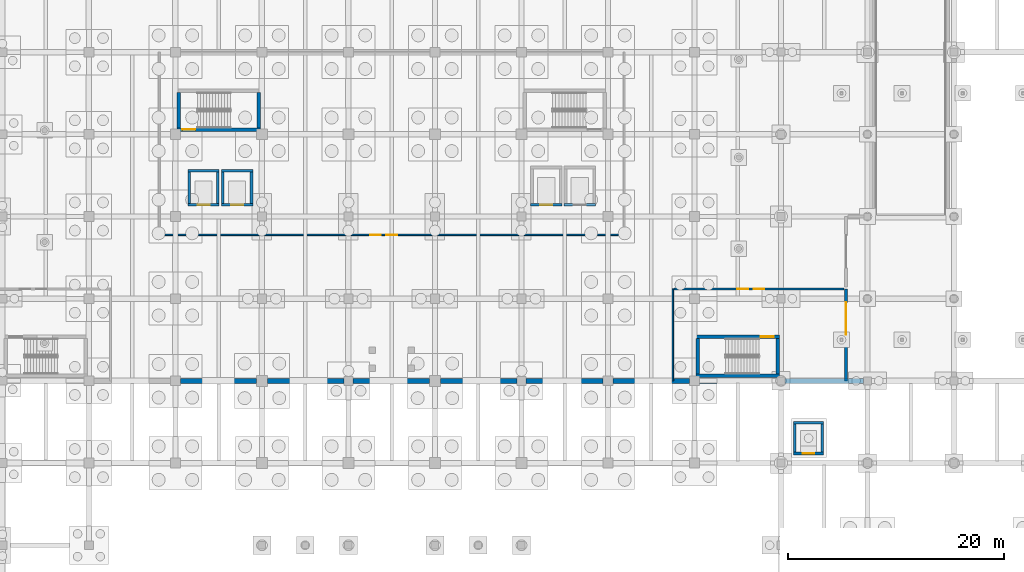
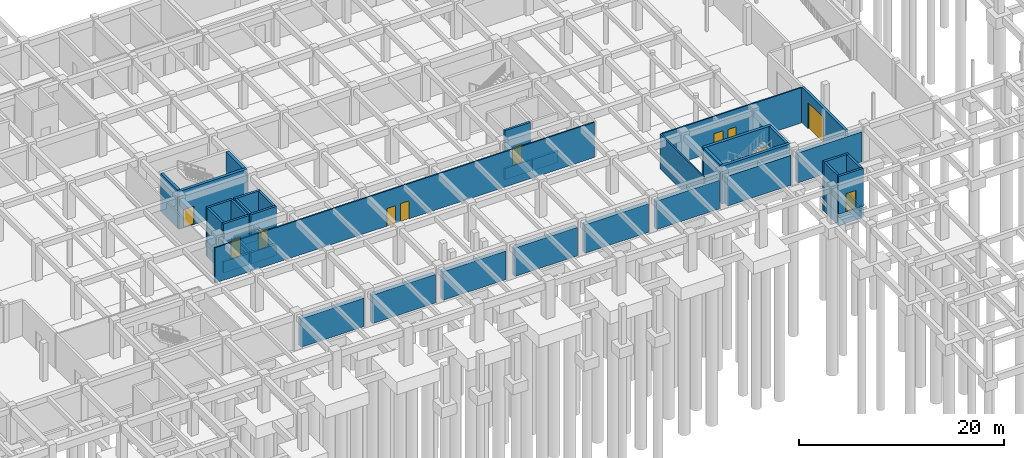
# One storey, part 35 of 49: 46 walls, 11 doors, 11 openings.
"""IFC4 building model written with IfcOpenShell, lengths in metres."""

import ifcopenshell
import ifcopenshell.guid

model = None  # the IFC model being written
_history = None  # IfcOwnerHistory: only IFC2X3 demands one
_inside = {}  # id of a spatial element -> (the spatial element, [elements in it])
_under = {}  # id of a project, library or spatial element -> (it, [spatial elements below it])
_declared = {}  # id of a project -> (the project, [libraries it declares])
_typed = {}  # id of a type object -> (the type object, [elements of that type])
_made_of = {}  # id of a material, layer set ... -> (it, [elements and type objects made of it])


def new_model(schema):
    """Start an empty IFC model of exactly this schema.

    Asked for "IFC4X3", IfcOpenShell would pick the latest addendum, in which some entities
    have other attributes; the version numbers below select the first issue.
    IFC2X3 requires an IfcOwnerHistory on every rooted entity: one is made here for all.
    """
    global model, _history
    if schema == "IFC4X3":
        model = ifcopenshell.file(schema_version=(4, 3, 0, 0))
    else:
        model = ifcopenshell.file(schema=schema)
    _inside.clear()
    _under.clear()
    _declared.clear()
    _typed.clear()
    _made_of.clear()
    _history = None
    if model.schema == "IFC2X3":
        org = make("IfcOrganization", Name="unknown")
        user = make(
            "IfcPersonAndOrganization",
            ThePerson=make("IfcPerson", FamilyName="unknown"),
            TheOrganization=org,
        )
        app = make(
            "IfcApplication",
            ApplicationDeveloper=org,
            Version="unknown",
            ApplicationFullName="unknown",
            ApplicationIdentifier="unknown",
        )
        _history = make(
            "IfcOwnerHistory",
            OwningUser=user,
            OwningApplication=app,
            ChangeAction="ADDED",
            CreationDate=0,
        )
    return model


def make(cls, **values):
    """One entity of the class cls with the attributes given. An attribute that is None is left unset."""
    return model.create_entity(
        cls, **{name: value for name, value in values.items() if value is not None}
    )


def rooted(cls, **values):
    """An entity with a GlobalId (a new one), such as an element, a storey or a relation."""
    return make(cls, GlobalId=ifcopenshell.guid.new(), OwnerHistory=_history, **values)


def si_unit(unit_type, name, prefix=None):
    """IfcSIUnit, for example si_unit("LENGTHUNIT", "METRE", prefix="MILLI")."""
    return make("IfcSIUnit", UnitType=unit_type, Prefix=prefix, Name=name)


def assignment(units):
    """IfcUnitAssignment: the units of a project."""
    return None if units is None else make("IfcUnitAssignment", Units=units)


def point(xyz):
    """IfcCartesianPoint."""
    return None if xyz is None else make("IfcCartesianPoint", Coordinates=xyz)


def direction(xyz):
    """IfcDirection."""
    return None if xyz is None else make("IfcDirection", DirectionRatios=xyz)


def frame(location, z_axis=None, x_axis=None):
    """IfcAxis2Placement3D, a coordinate frame: its origin and axes. An axis left out is left unset."""
    return make(
        "IfcAxis2Placement3D",
        Location=point(location),
        Axis=direction(z_axis),
        RefDirection=direction(x_axis),
    )


def frame_2d(location, x_axis=None):
    """IfcAxis2Placement2D, a coordinate frame in the plane: its origin and x axis."""
    return make(
        "IfcAxis2Placement2D", Location=point(location), RefDirection=direction(x_axis)
    )


def origin():
    """The frame at (0, 0, 0) with its axes left unset."""
    return frame((0.0, 0.0, 0.0))


def place(relative_to, where):
    """IfcLocalPlacement: puts the frame where relative to a parent placement (None: the world)."""
    return make(
        "IfcLocalPlacement", PlacementRelTo=relative_to, RelativePlacement=where
    )


def context(
    kind, dimensions, precision=None, world=None, true_north=None, identifier=None
):
    """IfcGeometricRepresentationContext, for example the 3D "Model" context."""
    return make(
        "IfcGeometricRepresentationContext",
        ContextIdentifier=identifier,
        ContextType=kind,
        CoordinateSpaceDimension=dimensions,
        Precision=precision,
        WorldCoordinateSystem=world,
        TrueNorth=true_north,
    )


def subcontext(parent, identifier, kind, view, scale=None):
    """IfcGeometricRepresentationSubContext, for example "Body" below "Model"."""
    return make(
        "IfcGeometricRepresentationSubContext",
        ContextIdentifier=identifier,
        ContextType=kind,
        ParentContext=parent,
        TargetScale=scale,
        TargetView=view,
    )


def project(units=None, contexts=None):
    """IfcProject with its units and contexts."""
    return rooted(
        "IfcProject",
        Name="project",
        RepresentationContexts=contexts,
        UnitsInContext=assignment(units),
    )


def spatial(cls, under=None, at=None, **own):
    """A site, building, storey or space (cls), placed at a placement, below another one or the project."""
    s = rooted(cls, ObjectPlacement=at, **own)
    if under is not None:
        _under.setdefault(under.id(), (under, []))[1].append(s)
    return s


def profile(cls, at=None, kind="AREA", **sizes):
    """A parametric profile (cls). Its sizes go by their IFC names, for example OverallWidth=200.0."""
    return make(cls, ProfileType=kind, Position=at, **sizes)


def rectangle(**sizes):
    """IfcRectangleProfileDef."""
    return profile("IfcRectangleProfileDef", **sizes)


def extrude(swept, where, along, depth):
    """IfcExtrudedAreaSolid: the profile swept, set in the frame where, extruded along a direction by depth."""
    return make(
        "IfcExtrudedAreaSolid",
        SweptArea=swept,
        Position=where,
        ExtrudedDirection=direction(along),
        Depth=depth,
    )


def shape(context_of_items, identifier, shape_type, items):
    """IfcShapeRepresentation: the items that make up one representation, for example the "Body"."""
    return make(
        "IfcShapeRepresentation",
        ContextOfItems=context_of_items,
        RepresentationIdentifier=identifier,
        RepresentationType=shape_type,
        Items=items,
    )


def material(Name=None, Category=None):
    """IfcMaterial."""
    return make("IfcMaterial", Name=Name, Category=Category)


def layer(
    of_material, thickness, ventilated=None, Name=None, Category=None, Priority=None
):
    """IfcMaterialLayer: one layer of a wall or slab, of a material (None: an air gap)."""
    return make(
        "IfcMaterialLayer",
        Material=of_material,
        LayerThickness=thickness,
        IsVentilated=ventilated,
        Name=Name,
        Category=Category,
        Priority=Priority,
    )


def layer_set(layers, Name=None):
    """IfcMaterialLayerSet."""
    return make("IfcMaterialLayerSet", MaterialLayers=layers, LayerSetName=Name)


def made_of(thing, what):
    """Note that an element or type object is made of a material, layer set ...; save() writes the relation."""
    if what is not None:
        _made_of.setdefault(what.id(), (what, []))[1].append(thing)
    return thing


def type_object(cls, material=None, **own):
    """A type object (cls), such as IfcWallType, which elements share."""
    return made_of(rooted(cls, **own), material)


def element(
    cls,
    number,
    at=None,
    inside=None,
    cuts=None,
    type_object=None,
    material=None,
    context=None,
    identifier="Body",
    shape_type=None,
    held_by="IfcProductDefinitionShape",
    body=None,
    shapes=None,
    **own,
):
    """One element of the class cls, such as IfcWall. Its Tag is "e" and its number.

    at: its placement. inside: the storey or other place that contains it. cuts: it is an
    opening in that element (IfcRelVoidsElement). A single representation is given by context,
    identifier, shape_type and body (its items); several are given by shapes. held_by: the class
    of the entity that holds the representations. save() writes the other relations.
    """
    e = rooted(cls, Tag="e%d" % number, ObjectPlacement=at, **own)
    if body is not None:
        shapes = [shape(context, identifier, shape_type, body)]
    if shapes is not None:
        e.Representation = make(held_by, Representations=shapes)
    if inside is not None:
        _inside.setdefault(inside.id(), (inside, []))[1].append(e)
    if cuts is not None:
        rooted(
            "IfcRelVoidsElement", RelatingBuildingElement=cuts, RelatedOpeningElement=e
        )
    if type_object is not None:
        _typed.setdefault(type_object.id(), (type_object, []))[1].append(e)
    return made_of(e, material)


def fill(opening, filler):
    """IfcRelFillsElement: the door or window that sits in an opening."""
    return rooted(
        "IfcRelFillsElement",
        RelatingOpeningElement=opening,
        RelatedBuildingElement=filler,
    )


def aggregate(whole, parts):
    """IfcRelAggregates: a whole, such as a stair, and the parts it consists of."""
    return rooted("IfcRelAggregates", RelatingObject=whole, RelatedObjects=parts)


def save(model, path):
    """Write the relations noted so far, then the file.

    IfcRelAggregates (storeys below a building ...), IfcRelContainedInSpatialStructure (elements
    in a storey), IfcRelDefinesByType, IfcRelAssociatesMaterial and IfcRelDeclares: one each for
    every whole, place, type object, material and project.
    """
    for whole, parts in _under.values():
        aggregate(whole, parts)
    for where, things in _inside.values():
        rooted(
            "IfcRelContainedInSpatialStructure",
            RelatedElements=things,
            RelatingStructure=where,
        )
    for kind, things in _typed.values():
        rooted("IfcRelDefinesByType", RelatedObjects=things, RelatingType=kind)
    for what, things in _made_of.values():
        rooted("IfcRelAssociatesMaterial", RelatedObjects=things, RelatingMaterial=what)
    for by, libraries in _declared.values():
        rooted("IfcRelDeclares", RelatingContext=by, RelatedDefinitions=libraries)
    model.write(path)


model = new_model("IFC4")

# Units and contexts
model_context = context("Model", 3, precision=1e-05, world=origin(), true_north=direction((0.0, 1.0)))
body_context = subcontext(model_context, "Body", "Model", "MODEL_VIEW")
ifc_project = project(units=[si_unit("LENGTHUNIT", "METRE"), si_unit("AREAUNIT", "SQUARE_METRE"), si_unit("VOLUMEUNIT", "CUBIC_METRE"), si_unit("PLANEANGLEUNIT", "RADIAN"), si_unit("MASSUNIT", "GRAM", prefix="KILO")], contexts=[model_context])

# Site, building, storey
site_placement = place(None, origin())
site = spatial("IfcSite", under=ifc_project, at=site_placement, CompositionType="ELEMENT")
building_placement = place(site_placement, origin())
building = spatial("IfcBuilding", under=site, at=building_placement, Name="Zantavel Square City Hall", CompositionType="ELEMENT")
storey_placement = place(building_placement, frame((0.0, 0.0, -4.5)))
storey = spatial("IfcBuildingStorey", under=building, at=storey_placement, Name="B1", CompositionType="ELEMENT", Elevation=-4.5)

# Wall, opening, door
ifc_material_1 = material(Name="Concrete C35/45", Category="concrete")
ifc_layer_1 = layer(ifc_material_1, 0.280029296875, Name="Concrete C35/45")
ifc_layer_set_1 = layer_set([ifc_layer_1], Name="Concrete C35/45")
wall_type_1 = type_object("IfcWallType", Name="Archive & Substation Vault Wall 280mm", PredefinedType="STANDARD", material=ifc_layer_set_1)
wall_1_placement = place(storey_placement, frame((126.0, 38.0, 0.0), z_axis=(0.0, 0.0, 1.0), x_axis=(0.0, 1.0, 0.0)))
wall_1 = element("IfcWall", 1, at=wall_1_placement, inside=storey, type_object=wall_type_1, Name="B1 Interior Wall IW-B1-0023", PredefinedType="STANDARD", context=body_context, shape_type="SweptSolid", body=[
    extrude(rectangle(XDim=8.5, YDim=0.280029296875, at=frame_2d((4.25, 0.0))), origin(), (0.0, 0.0, 1.0), 4.199951171875),
])
opening_1_placement = place(wall_1_placement, frame((4.25, 0.0, 0.0)))
opening_1 = element("IfcOpeningElement", 2, at=opening_1_placement, cuts=wall_1, Name="Opening D-0011", PredefinedType="OPENING", context=body_context, shape_type="SweptSolid", body=[
    extrude(rectangle(XDim=3.0, YDim=3.10009765625, at=frame_2d((1.5, 1.550048828125))), frame((0.0, 0.14990234375, 0.0), z_axis=(0.0, -1.0, 0.0), x_axis=(1.0, 0.0, 0.0)), (0.0, 0.0, 1.0), 0.300048828125),
])
ifc_material_2 = material(Name="Steel ASTM A500 Grade B", Category="steel")
door_type_1 = type_object("IfcDoorType", Name="Plant Equipment Roller Gate 3000x3100", OperationType="NOTDEFINED", PredefinedType="GATE", material=ifc_material_2)
door_1_placement = place(opening_1_placement, origin())
door_1 = element("IfcDoor", 3, at=door_1_placement, inside=storey, type_object=door_type_1, Name="B1 Municipal Maintenance Workshop and Store Door", OperationType="ROLLINGUP", OverallHeight=3.10009765625, OverallWidth=3.0, PredefinedType="GATE", context=body_context, shape_type="SweptSolid", body=[
    extrude(rectangle(XDim=3.0, YDim=3.10009765625, at=frame_2d((1.5, 1.550048828125))), frame((0.0, 0.02490234375, 0.0), z_axis=(0.0, -1.0, 0.0), x_axis=(1.0, 0.0, 0.0)), (0.0, 0.0, 1.0), 0.050048828125),
])
fill(opening_1, door_1)

# Walls
ifc_material_3 = material(Name="Concrete C40/50", Category="concrete")
ifc_layer_2 = layer(ifc_material_3, 0.47998046875, Name="Concrete C40/50")
ifc_layer_set_2 = layer_set([ifc_layer_2], Name="Concrete C40/50")
wall_type_2 = type_object("IfcWallType", Name="Basement Retaining Wall RC 480mm C40/50", PredefinedType="SHEAR", material=ifc_layer_set_2)
wall_2_placement = place(storey_placement, frame((127.625, 38.0, 0.0), z_axis=(0.0, 0.0, 1.0), x_axis=(-1.0, 0.0, 0.0)))
element("IfcWall", 4, at=wall_2_placement, inside=storey, type_object=wall_type_2, Name="B1 Exterior Wall EW-B1-024", PredefinedType="SHEAR", context=body_context, shape_type="SweptSolid", body=[
    extrude(rectangle(XDim=7.25, YDim=0.47998046875, at=frame_2d((3.625, 0.0))), origin(), (0.0, 0.0, 1.0), 3.550048828125),
])
wall_3_placement = place(storey_placement, frame((119.625, 38.0, 0.0), z_axis=(0.0, 0.0, 1.0), x_axis=(-1.0, 0.0, 0.0)))
element("IfcWall", 5, at=wall_3_placement, inside=storey, type_object=wall_type_2, Name="B1 Exterior Wall EW-B1-025", PredefinedType="SHEAR", context=body_context, shape_type="SweptSolid", body=[
    extrude(rectangle(XDim=7.175048828125, YDim=0.47998046875, at=frame_2d((3.58740234375, 0.0))), origin(), (0.0, 0.0, 1.0), 3.550048828125),
])
wall_4_placement = place(storey_placement, frame((111.550048828125, 38.0, 0.0), z_axis=(0.0, 0.0, 1.0), x_axis=(-1.0, 0.0, 0.0)))
element("IfcWall", 6, at=wall_4_placement, inside=storey, type_object=wall_type_2, Name="B1 Exterior Wall EW-B1-026", PredefinedType="SHEAR", context=body_context, shape_type="SweptSolid", body=[
    extrude(rectangle(XDim=7.10009765625, YDim=0.47998046875, at=frame_2d((3.550048828125, 0.0))), origin(), (0.0, 0.0, 1.0), 3.39990234375),
])
wall_5_placement = place(storey_placement, frame((103.550048828125, 38.0, 0.0), z_axis=(0.0, 0.0, 1.0), x_axis=(-1.0, 0.0, 0.0)))
element("IfcWall", 7, at=wall_5_placement, inside=storey, type_object=wall_type_2, Name="B1 Exterior Wall EW-B1-027", PredefinedType="SHEAR", context=body_context, shape_type="SweptSolid", body=[
    extrude(rectangle(XDim=7.125, YDim=0.47998046875, at=frame_2d((3.5625, 0.0))), origin(), (0.0, 0.0, 1.0), 3.39990234375),
])
for number, where, z_axis, x_axis, name in (
    (8, (95.574951171875, 38.0, 0.0), (0.0, 0.0, 1.0), (-1.0, 0.0, 0.0), "B1 Exterior Wall EW-B1-028"),
    (9, (87.5, 38.0, 0.0), (0.0, 0.0, 1.0), (-1.0, 0.0, 0.0), "B1 Exterior Wall EW-B1-029"),
    (10, (79.574951171875, 38.0, 0.0), (0.0, 0.0, 1.0), (-1.0, 0.0, 0.0), "B1 Exterior Wall EW-B1-030"),
):
    element("IfcWall", number, at=place(storey_placement, frame(where, z_axis=z_axis, x_axis=x_axis)), inside=storey, type_object=wall_type_2, Name=name, PredefinedType="SHEAR", context=body_context, shape_type="SweptSolid", body=[
        extrude(rectangle(XDim=7.074951171875, YDim=0.47998046875, at=frame_2d((3.53759765625, 0.0))), origin(), (0.0, 0.0, 1.0), 3.39990234375),
    ])
wall_6_placement = place(storey_placement, frame((71.5, 38.0, 0.0), z_axis=(0.0, 0.0, 1.0), x_axis=(-1.0, 0.0, 0.0)))
element("IfcWall", 11, at=wall_6_placement, inside=storey, type_object=wall_type_2, Name="B1 Exterior Wall EW-B1-031", PredefinedType="SHEAR", context=body_context, shape_type="SweptSolid", body=[
    extrude(rectangle(XDim=7.050048828125, YDim=0.47998046875, at=frame_2d((3.52490234375, 0.0))), origin(), (0.0, 0.0, 1.0), 3.39990234375),
])
ifc_layer_3 = layer(ifc_material_3, 0.320068359375, Name="Concrete C40/50")
ifc_layer_set_3 = layer_set([ifc_layer_3], Name="Concrete C40/50")
wall_type_3 = type_object("IfcWallType", Name="Core Shear Wall RC 320mm C40/50", PredefinedType="SHEAR", material=ifc_layer_set_3)
wall_7_placement = place(storey_placement, frame((119.85009765625, 38.489990234375, 0.0), z_axis=(0.0, 0.0, 1.0), x_axis=(-1.0, 0.0, 0.0)))
element("IfcWall", 12, at=wall_7_placement, inside=storey, type_object=wall_type_3, Name="B1 Exit Stair 4 East Annex Core Shear Wall South", PredefinedType="SHEAR", context=body_context, shape_type="SweptSolid", body=[
    extrude(rectangle(XDim=7.7001953125, YDim=0.320068359375, at=frame_2d((3.85009765625, 0.0))), origin(), (0.0, 0.0, 1.0), 4.5),
])
wall_8_placement = place(storey_placement, frame((112.31005859375, 38.64990234375, 0.0), z_axis=(0.0, 0.0, 1.0), x_axis=(0.0, 1.0, 0.0)))
element("IfcWall", 13, at=wall_8_placement, inside=storey, type_object=wall_type_3, Name="B1 Exit Stair 4 East Annex Core Shear Wall West", PredefinedType="SHEAR", context=body_context, shape_type="SweptSolid", body=[
    extrude(rectangle(XDim=3.27001953125, YDim=0.320068359375, at=frame_2d((1.635009765625, 0.0))), origin(), (0.0, 0.0, 1.0), 4.5),
])

# Wall, opening, door
wall_9_placement = place(storey_placement, frame((112.14990234375, 42.080078125, 0.0), z_axis=(0.0, 0.0, 1.0), x_axis=(1.0, 0.0, 0.0)))
wall_9 = element("IfcWall", 14, at=wall_9_placement, inside=storey, type_object=wall_type_3, Name="B1 Exit Stair 4 East Annex Core Shear Wall North", PredefinedType="SHEAR", context=body_context, shape_type="SweptSolid", body=[
    extrude(rectangle(XDim=7.7001953125, YDim=0.320068359375, at=frame_2d((3.85009765625, 0.0))), origin(), (0.0, 0.0, 1.0), 4.5),
])
opening_2_placement = place(wall_9_placement, frame((6.0, 0.0, 0.0)))
opening_2 = element("IfcOpeningElement", 15, at=opening_2_placement, cuts=wall_9, Name="Opening SD-016", PredefinedType="OPENING", context=body_context, shape_type="SweptSolid", body=[
    extrude(rectangle(XDim=1.199951171875, YDim=2.199951171875, at=frame_2d((0.60009765625, 1.10009765625))), frame((0.0, 0.169921875, 0.0), z_axis=(0.0, -1.0, 0.0), x_axis=(1.0, 0.0, 0.0)), (0.0, 0.0, 1.0), 0.340087890625),
])
door_type_2 = type_object("IfcDoorType", Name="Enclosed Exit Stairwell Fire Door 1200x2200 FD90S", OperationType="NOTDEFINED", PredefinedType="DOOR", material=ifc_material_2)
door_2_placement = place(opening_2_placement, origin())
door_2 = element("IfcDoor", 16, at=door_2_placement, inside=storey, type_object=door_type_2, Name="B1 Exit Stair 4 East Annex Core Fire Door", OperationType="SINGLE_SWING_RIGHT", OverallHeight=2.199951171875, OverallWidth=1.199951171875, PredefinedType="DOOR", context=body_context, shape_type="SweptSolid", body=[
    extrude(rectangle(XDim=1.199951171875, YDim=2.199951171875, at=frame_2d((0.60009765625, 1.10009765625))), frame((0.0, 0.02490234375, 0.0), z_axis=(0.0, -1.0, 0.0), x_axis=(1.0, 0.0, 0.0)), (0.0, 0.0, 1.0), 0.050048828125),
])
fill(opening_2, door_2)

# Wall
wall_10_placement = place(storey_placement, frame((119.68994140625, 41.919921875, 0.0), z_axis=(0.0, 0.0, 1.0), x_axis=(0.0, -1.0, 0.0)))
element("IfcWall", 17, at=wall_10_placement, inside=storey, type_object=wall_type_3, Name="B1 Exit Stair 4 East Annex Core Shear Wall East", PredefinedType="SHEAR", context=body_context, shape_type="SweptSolid", body=[
    extrude(rectangle(XDim=3.27001953125, YDim=0.320068359375, at=frame_2d((1.635009765625, 0.0))), origin(), (0.0, 0.0, 1.0), 4.5),
])

# Wall, opening, door
wall_11_placement = place(storey_placement, frame((71.85009765625, 61.239990234375, 0.0), z_axis=(0.0, 0.0, 1.0), x_axis=(-1.0, 0.0, 0.0)))
wall_11 = element("IfcWall", 18, at=wall_11_placement, inside=storey, type_object=wall_type_3, Name="B1 Exit Stair 5 Central West Core Shear Wall South", PredefinedType="SHEAR", context=body_context, shape_type="SweptSolid", body=[
    extrude(rectangle(XDim=7.7001953125, YDim=0.320068359375, at=frame_2d((3.85009765625, 0.0))), origin(), (0.0, 0.0, 1.0), 4.5),
])
opening_3_placement = place(wall_11_placement, frame((6.0, 0.0, 0.0)))
opening_3 = element("IfcOpeningElement", 19, at=opening_3_placement, cuts=wall_11, Name="Opening SD-019", PredefinedType="OPENING", context=body_context, shape_type="SweptSolid", body=[
    extrude(rectangle(XDim=1.199951171875, YDim=2.199951171875, at=frame_2d((0.60009765625, 1.10009765625))), frame((0.0, 0.169921875, 0.0), z_axis=(0.0, -1.0, 0.0), x_axis=(1.0, 0.0, 0.0)), (0.0, 0.0, 1.0), 0.340087890625),
])
door_3_placement = place(opening_3_placement, origin())
door_3 = element("IfcDoor", 20, at=door_3_placement, inside=storey, type_object=door_type_2, Name="B1 Exit Stair 5 Central West Core Fire Door", OperationType="SINGLE_SWING_LEFT", OverallHeight=2.199951171875, OverallWidth=1.199951171875, PredefinedType="DOOR", context=body_context, shape_type="SweptSolid", body=[
    extrude(rectangle(XDim=1.199951171875, YDim=2.199951171875, at=frame_2d((0.60009765625, 1.10009765625))), frame((0.0, 0.02490234375, 0.0), z_axis=(0.0, -1.0, 0.0), x_axis=(1.0, 0.0, 0.0)), (0.0, 0.0, 1.0), 0.050048828125),
])
fill(opening_3, door_3)

# Walls
for number, where, z_axis, x_axis, name in (
    (21, (64.31005859375, 61.39990234375, 0.0), (0.0, 0.0, 1.0), (0.0, 1.0, 0.0), "B1 Exit Stair 5 Central West Core Shear Wall West"),
    (22, (71.68994140625, 64.669921875, 0.0), (0.0, 0.0, 1.0), (0.0, -1.0, 0.0), "B1 Exit Stair 5 Central West Core Shear Wall East"),
):
    element("IfcWall", number, at=place(storey_placement, frame(where, z_axis=z_axis, x_axis=x_axis)), inside=storey, type_object=wall_type_3, Name=name, PredefinedType="SHEAR", context=body_context, shape_type="SweptSolid", body=[
        extrude(rectangle(XDim=3.27001953125, YDim=0.320068359375, at=frame_2d((1.635009765625, 0.0))), origin(), (0.0, 0.0, 1.0), 4.5),
    ])
ifc_material_4 = material(Name="Gypsum acoustic stud assembly", Category="masonry")
ifc_layer_4 = layer(ifc_material_4, 0.14990234375, Name="Gypsum acoustic stud assembly")
ifc_layer_set_4 = layer_set([ifc_layer_4], Name="Gypsum acoustic stud assembly")
wall_type_4 = type_object("IfcWallType", Name="Department Office Partition 150mm", PredefinedType="PARTITIONING", material=ifc_layer_set_4)
wall_12_placement = place(storey_placement, frame((110.0, 38.0, 0.0), z_axis=(0.0, 0.0, 1.0), x_axis=(0.0, 1.0, 0.0)))
element("IfcWall", 23, at=wall_12_placement, inside=storey, type_object=wall_type_4, Name="B1 Interior Wall IW-B1-0028", PredefinedType="PARTITIONING", context=body_context, shape_type="SweptSolid", body=[
    extrude(rectangle(XDim=8.5, YDim=0.14990234375, at=frame_2d((4.25, 0.0))), origin(), (0.0, 0.0, 1.0), 4.199951171875),
])

# Wall, openings, doors
wall_13_placement = place(storey_placement, frame((110.125, 46.5, 0.0), z_axis=(0.0, 0.0, 1.0), x_axis=(1.0, 0.0, 0.0)))
wall_13 = element("IfcWall", 24, at=wall_13_placement, inside=storey, type_object=wall_type_4, Name="B1 Interior Wall IW-B1-0029", PredefinedType="PARTITIONING", context=body_context, shape_type="SweptSolid", body=[
    extrude(rectangle(XDim=15.68505859375, YDim=0.14990234375, at=frame_2d((7.842529296875, 0.0))), origin(), (0.0, 0.0, 1.0), 4.199951171875),
])
opening_4_placement = place(wall_13_placement, frame((7.367431640625, 0.0, 0.0)))
opening_4 = element("IfcOpeningElement", 25, at=opening_4_placement, cuts=wall_13, Name="Opening D-0014", PredefinedType="OPENING", context=body_context, shape_type="SweptSolid", body=[
    extrude(rectangle(XDim=0.949951171875, YDim=2.10009765625, at=frame_2d((0.47509765625, 1.050048828125))), frame((0.0, 0.0849609375, 0.0), z_axis=(0.0, -1.0, 0.0), x_axis=(1.0, 0.0, 0.0)), (0.0, 0.0, 1.0), 0.169921875),
])
opening_5_placement = place(wall_13_placement, frame((5.842529296875, 0.0, 0.0)))
opening_5 = element("IfcOpeningElement", 26, at=opening_5_placement, cuts=wall_13, Name="Opening D-0019", PredefinedType="OPENING", context=body_context, shape_type="SweptSolid", body=[
    extrude(rectangle(XDim=1.0, YDim=2.14990234375, at=frame_2d((0.5, 1.074951171875))), frame((0.0, 0.0849609375, 0.0), z_axis=(0.0, -1.0, 0.0), x_axis=(1.0, 0.0, 0.0)), (0.0, 0.0, 1.0), 0.169921875),
])
ifc_material_5 = material(Name="Solid oak hardwood", Category="wood")
door_type_3 = type_object("IfcDoorType", Name="Office Internal Oak Single Door 950x2100", OperationType="NOTDEFINED", PredefinedType="DOOR", material=ifc_material_5)
door_4_placement = place(opening_4_placement, origin())
door_4 = element("IfcDoor", 27, at=door_4_placement, inside=storey, type_object=door_type_3, Name="B1 Subterranean Municipal Car Park Door", OperationType="SINGLE_SWING_RIGHT", OverallHeight=2.10009765625, OverallWidth=0.949951171875, PredefinedType="DOOR", context=body_context, shape_type="SweptSolid", body=[
    extrude(rectangle(XDim=0.949951171875, YDim=2.10009765625, at=frame_2d((0.47509765625, 1.050048828125))), frame((0.0, 0.02490234375, 0.0), z_axis=(0.0, -1.0, 0.0), x_axis=(1.0, 0.0, 0.0)), (0.0, 0.0, 1.0), 0.050048828125),
])
fill(opening_4, door_4)
door_type_4 = type_object("IfcDoorType", Name="Suite Internal Oak Single Door 1000x2150", OperationType="NOTDEFINED", PredefinedType="DOOR", material=ifc_material_5)
door_5_placement = place(opening_5_placement, origin())
door_5 = element("IfcDoor", 28, at=door_5_placement, inside=storey, type_object=door_type_4, Name="B1 Subterranean Municipal Car Park Door", OperationType="SINGLE_SWING_LEFT", OverallHeight=2.14990234375, OverallWidth=1.0, PredefinedType="DOOR", context=body_context, shape_type="SweptSolid", body=[
    extrude(rectangle(XDim=1.0, YDim=2.14990234375, at=frame_2d((0.5, 1.074951171875))), frame((0.0, 0.02490234375, 0.0), z_axis=(0.0, -1.0, 0.0), x_axis=(1.0, 0.0, 0.0)), (0.0, 0.0, 1.0), 0.050048828125),
])
fill(opening_5, door_5)

wall_14_placement = place(storey_placement, frame((105.375, 51.5, 0.0), z_axis=(0.0, 0.0, 1.0), x_axis=(-1.0, 0.0, 0.0)))
wall_14 = element("IfcWall", 29, at=wall_14_placement, inside=storey, type_object=wall_type_4, Name="B1 Interior Wall IW-B1-0037", PredefinedType="PARTITIONING", context=body_context, shape_type="SweptSolid", body=[
    extrude(rectangle(XDim=42.75, YDim=0.14990234375, at=frame_2d((21.375, 0.0))), origin(), (0.0, 0.0, 1.0), 4.199951171875),
])
opening_6_placement = place(wall_14_placement, frame((20.875, 0.0, 0.0)))
opening_6 = element("IfcOpeningElement", 30, at=opening_6_placement, cuts=wall_14, Name="Opening D-0015", PredefinedType="OPENING", context=body_context, shape_type="SweptSolid", body=[
    extrude(rectangle(XDim=1.0, YDim=2.14990234375, at=frame_2d((0.5, 1.074951171875))), frame((0.0, 0.0849609375, 0.0), z_axis=(0.0, -1.0, 0.0), x_axis=(1.0, 0.0, 0.0)), (0.0, 0.0, 1.0), 0.169921875),
])
opening_7_placement = place(wall_14_placement, frame((22.39990234375, 0.0, 0.0)))
opening_7 = element("IfcOpeningElement", 31, at=opening_7_placement, cuts=wall_14, Name="Opening D-0020", PredefinedType="OPENING", context=body_context, shape_type="SweptSolid", body=[
    extrude(rectangle(XDim=0.949951171875, YDim=2.10009765625, at=frame_2d((0.47509765625, 1.050048828125))), frame((0.0, 0.0849609375, 0.0), z_axis=(0.0, -1.0, 0.0), x_axis=(1.0, 0.0, 0.0)), (0.0, 0.0, 1.0), 0.169921875),
])
door_6_placement = place(opening_7_placement, origin())
door_6 = element("IfcDoor", 32, at=door_6_placement, inside=storey, type_object=door_type_3, Name="B1 Subterranean Municipal Car Park Door", OperationType="SINGLE_SWING_RIGHT", OverallHeight=2.10009765625, OverallWidth=0.949951171875, PredefinedType="DOOR", context=body_context, shape_type="SweptSolid", body=[
    extrude(rectangle(XDim=0.949951171875, YDim=2.10009765625, at=frame_2d((0.47509765625, 1.050048828125))), frame((0.0, 0.02490234375, 0.0), z_axis=(0.0, -1.0, 0.0), x_axis=(1.0, 0.0, 0.0)), (0.0, 0.0, 1.0), 0.050048828125),
])
fill(opening_7, door_6)
door_7_placement = place(opening_6_placement, origin())
door_7 = element("IfcDoor", 33, at=door_7_placement, inside=storey, type_object=door_type_4, Name="B1 Subterranean Municipal Car Park Door", OperationType="SINGLE_SWING_LEFT", OverallHeight=2.14990234375, OverallWidth=1.0, PredefinedType="DOOR", context=body_context, shape_type="SweptSolid", body=[
    extrude(rectangle(XDim=1.0, YDim=2.14990234375, at=frame_2d((0.5, 1.074951171875))), frame((0.0, 0.02490234375, 0.0), z_axis=(0.0, -1.0, 0.0), x_axis=(1.0, 0.0, 0.0)), (0.0, 0.0, 1.0), 0.050048828125),
])
fill(opening_6, door_7)

# Walls
ifc_layer_5 = layer(ifc_material_3, 0.25, Name="Concrete C40/50")
ifc_layer_set_5 = layer_set([ifc_layer_5], Name="Concrete C40/50")
wall_type_5 = type_object("IfcWallType", Name="Lift Shaft Wall RC 250mm C40/50", PredefinedType="SHEAR", material=ifc_layer_set_5)
for number, where, z_axis, x_axis, name in (
    (34, (68.050048828125, 54.27490234375, -1.35009765625), (0.0, 0.0, 1.0), (-1.0, 0.0, 0.0), "Lift LF01 Pit Wall S"),
    (35, (65.27490234375, 54.39990234375, -1.35009765625), (0.0, 0.0, 1.0), (0.0, 1.0, 0.0), "Lift LF01 Pit Wall W"),
    (36, (65.14990234375, 57.425048828125, -1.35009765625), (0.0, 0.0, 1.0), (1.0, 0.0, 0.0), "Lift LF01 Pit Wall N"),
    (37, (67.925048828125, 57.300048828125, -1.35009765625), (0.0, 0.0, 1.0), (0.0, -1.0, 0.0), "Lift LF01 Pit Wall E"),
):
    element("IfcWall", number, at=place(storey_placement, frame(where, z_axis=z_axis, x_axis=x_axis)), inside=storey, type_object=wall_type_5, Name=name, PredefinedType="SHEAR", context=body_context, shape_type="SweptSolid", body=[
        extrude(rectangle(XDim=2.900146484375, YDim=0.25, at=frame_2d((1.4501953125, 0.0))), origin(), (0.0, 0.0, 1.0), 1.35009765625),
    ])

# Wall, opening, door
wall_15_placement = place(storey_placement, frame((68.050048828125, 54.27490234375, 0.0), z_axis=(0.0, 0.0, 1.0), x_axis=(-1.0, 0.0, 0.0)))
wall_15 = element("IfcWall", 38, at=wall_15_placement, inside=storey, type_object=wall_type_5, Name="B1 Lift LF01 Shaft Wall South", PredefinedType="SHEAR", context=body_context, shape_type="SweptSolid", body=[
    extrude(rectangle(XDim=2.900146484375, YDim=0.25, at=frame_2d((1.4501953125, 0.0))), origin(), (0.0, 0.0, 1.0), 4.5),
])
opening_8_placement = place(wall_15_placement, frame((0.89990234375, 0.0, 0.0)))
opening_8 = element("IfcOpeningElement", 39, at=opening_8_placement, cuts=wall_15, Name="Opening LD-LF01-B1", PredefinedType="OPENING", context=body_context, shape_type="SweptSolid", body=[
    extrude(rectangle(XDim=1.10009765625, YDim=2.14990234375, at=frame_2d((0.550048828125, 1.074951171875))), frame((0.0, 0.135009765625, 0.0), z_axis=(0.0, -1.0, 0.0), x_axis=(1.0, 0.0, 0.0)), (0.0, 0.0, 1.0), 0.27001953125),
])
ifc_material_6 = material(Name="Stainless steel 316", Category="steel")
door_type_5 = type_object("IfcDoorType", Name="Lift Landing Sliding Door 1100x2150 FD90S", OperationType="NOTDEFINED", PredefinedType="DOOR", material=ifc_material_6)
door_8_placement = place(opening_8_placement, origin())
door_8 = element("IfcDoor", 40, at=door_8_placement, inside=storey, type_object=door_type_5, Name="B1 Lift LF01 Sliding Landing Door", OperationType="DOUBLE_DOOR_SLIDING", OverallHeight=2.14990234375, OverallWidth=1.10009765625, PredefinedType="DOOR", context=body_context, shape_type="SweptSolid", body=[
    extrude(rectangle(XDim=1.10009765625, YDim=2.14990234375, at=frame_2d((0.550048828125, 1.074951171875))), frame((0.0, 0.02490234375, 0.0), z_axis=(0.0, -1.0, 0.0), x_axis=(1.0, 0.0, 0.0)), (0.0, 0.0, 1.0), 0.050048828125),
])
fill(opening_8, door_8)

# Walls
for number, where, z_axis, x_axis, name in (
    (41, (65.27490234375, 54.39990234375, 0.0), (0.0, 0.0, 1.0), (0.0, 1.0, 0.0), "B1 Lift LF01 Shaft Wall West"),
    (42, (65.14990234375, 57.425048828125, 0.0), (0.0, 0.0, 1.0), (1.0, 0.0, 0.0), "B1 Lift LF01 Shaft Wall North"),
    (43, (67.925048828125, 57.300048828125, 0.0), (0.0, 0.0, 1.0), (0.0, -1.0, 0.0), "B1 Lift LF01 Shaft Wall East"),
):
    element("IfcWall", number, at=place(storey_placement, frame(where, z_axis=z_axis, x_axis=x_axis)), inside=storey, type_object=wall_type_5, Name=name, PredefinedType="SHEAR", context=body_context, shape_type="SweptSolid", body=[
        extrude(rectangle(XDim=2.900146484375, YDim=0.25, at=frame_2d((1.4501953125, 0.0))), origin(), (0.0, 0.0, 1.0), 4.5),
    ])
wall_16_placement = place(storey_placement, frame((71.14990234375, 54.27490234375, -1.35009765625), z_axis=(0.0, 0.0, 1.0), x_axis=(-1.0, 0.0, 0.0)))
element("IfcWall", 44, at=wall_16_placement, inside=storey, type_object=wall_type_5, Name="Lift LF02 Pit Wall S", PredefinedType="SHEAR", context=body_context, shape_type="SweptSolid", body=[
    extrude(rectangle(XDim=2.89990234375, YDim=0.25, at=frame_2d((1.449951171875, 0.0))), origin(), (0.0, 0.0, 1.0), 1.35009765625),
])
wall_17_placement = place(storey_placement, frame((68.375, 54.39990234375, -1.35009765625), z_axis=(0.0, 0.0, 1.0), x_axis=(0.0, 1.0, 0.0)))
element("IfcWall", 45, at=wall_17_placement, inside=storey, type_object=wall_type_5, Name="Lift LF02 Pit Wall W", PredefinedType="SHEAR", context=body_context, shape_type="SweptSolid", body=[
    extrude(rectangle(XDim=2.900146484375, YDim=0.25, at=frame_2d((1.4501953125, 0.0))), origin(), (0.0, 0.0, 1.0), 1.35009765625),
])
wall_18_placement = place(storey_placement, frame((68.25, 57.425048828125, -1.35009765625), z_axis=(0.0, 0.0, 1.0), x_axis=(1.0, 0.0, 0.0)))
element("IfcWall", 46, at=wall_18_placement, inside=storey, type_object=wall_type_5, Name="Lift LF02 Pit Wall N", PredefinedType="SHEAR", context=body_context, shape_type="SweptSolid", body=[
    extrude(rectangle(XDim=2.89990234375, YDim=0.25, at=frame_2d((1.449951171875, 0.0))), origin(), (0.0, 0.0, 1.0), 1.35009765625),
])
wall_19_placement = place(storey_placement, frame((71.02490234375, 57.300048828125, -1.35009765625), z_axis=(0.0, 0.0, 1.0), x_axis=(0.0, -1.0, 0.0)))
element("IfcWall", 47, at=wall_19_placement, inside=storey, type_object=wall_type_5, Name="Lift LF02 Pit Wall E", PredefinedType="SHEAR", context=body_context, shape_type="SweptSolid", body=[
    extrude(rectangle(XDim=2.900146484375, YDim=0.25, at=frame_2d((1.4501953125, 0.0))), origin(), (0.0, 0.0, 1.0), 1.35009765625),
])

# Wall, opening, door
wall_20_placement = place(storey_placement, frame((71.14990234375, 54.27490234375, 0.0), z_axis=(0.0, 0.0, 1.0), x_axis=(-1.0, 0.0, 0.0)))
wall_20 = element("IfcWall", 48, at=wall_20_placement, inside=storey, type_object=wall_type_5, Name="B1 Lift LF02 Shaft Wall South", PredefinedType="SHEAR", context=body_context, shape_type="SweptSolid", body=[
    extrude(rectangle(XDim=2.89990234375, YDim=0.25, at=frame_2d((1.449951171875, 0.0))), origin(), (0.0, 0.0, 1.0), 4.5),
])
opening_9_placement = place(wall_20_placement, frame((0.89990234375, 0.0, 0.0)))
opening_9 = element("IfcOpeningElement", 49, at=opening_9_placement, cuts=wall_20, Name="Opening LD-LF02-B1", PredefinedType="OPENING", context=body_context, shape_type="SweptSolid", body=[
    extrude(rectangle(XDim=1.10009765625, YDim=2.14990234375, at=frame_2d((0.550048828125, 1.074951171875))), frame((0.0, 0.135009765625, 0.0), z_axis=(0.0, -1.0, 0.0), x_axis=(1.0, 0.0, 0.0)), (0.0, 0.0, 1.0), 0.27001953125),
])
door_9_placement = place(opening_9_placement, origin())
door_9 = element("IfcDoor", 50, at=door_9_placement, inside=storey, type_object=door_type_5, Name="B1 Lift LF02 Sliding Landing Door", OperationType="DOUBLE_DOOR_SLIDING", OverallHeight=2.14990234375, OverallWidth=1.10009765625, PredefinedType="DOOR", context=body_context, shape_type="SweptSolid", body=[
    extrude(rectangle(XDim=1.10009765625, YDim=2.14990234375, at=frame_2d((0.550048828125, 1.074951171875))), frame((0.0, 0.02490234375, 0.0), z_axis=(0.0, -1.0, 0.0), x_axis=(1.0, 0.0, 0.0)), (0.0, 0.0, 1.0), 0.050048828125),
])
fill(opening_9, door_9)

# Walls
wall_21_placement = place(storey_placement, frame((68.375, 54.39990234375, 0.0), z_axis=(0.0, 0.0, 1.0), x_axis=(0.0, 1.0, 0.0)))
element("IfcWall", 51, at=wall_21_placement, inside=storey, type_object=wall_type_5, Name="B1 Lift LF02 Shaft Wall West", PredefinedType="SHEAR", context=body_context, shape_type="SweptSolid", body=[
    extrude(rectangle(XDim=2.900146484375, YDim=0.25, at=frame_2d((1.4501953125, 0.0))), origin(), (0.0, 0.0, 1.0), 4.5),
])
wall_22_placement = place(storey_placement, frame((68.25, 57.425048828125, 0.0), z_axis=(0.0, 0.0, 1.0), x_axis=(1.0, 0.0, 0.0)))
element("IfcWall", 52, at=wall_22_placement, inside=storey, type_object=wall_type_5, Name="B1 Lift LF02 Shaft Wall North", PredefinedType="SHEAR", context=body_context, shape_type="SweptSolid", body=[
    extrude(rectangle(XDim=2.89990234375, YDim=0.25, at=frame_2d((1.449951171875, 0.0))), origin(), (0.0, 0.0, 1.0), 4.5),
])
wall_23_placement = place(storey_placement, frame((71.02490234375, 57.300048828125, 0.0), z_axis=(0.0, 0.0, 1.0), x_axis=(0.0, -1.0, 0.0)))
element("IfcWall", 53, at=wall_23_placement, inside=storey, type_object=wall_type_5, Name="B1 Lift LF02 Shaft Wall East", PredefinedType="SHEAR", context=body_context, shape_type="SweptSolid", body=[
    extrude(rectangle(XDim=2.900146484375, YDim=0.25, at=frame_2d((1.4501953125, 0.0))), origin(), (0.0, 0.0, 1.0), 4.5),
])
wall_24_placement = place(storey_placement, frame((99.75, 54.27490234375, -1.35009765625), z_axis=(0.0, 0.0, 1.0), x_axis=(-1.0, 0.0, 0.0)))
element("IfcWall", 54, at=wall_24_placement, inside=storey, type_object=wall_type_5, Name="Lift LF03 Pit Wall S", PredefinedType="SHEAR", context=body_context, shape_type="SweptSolid", body=[
    extrude(rectangle(XDim=2.89990234375, YDim=0.25, at=frame_2d((1.449951171875, 0.0))), origin(), (0.0, 0.0, 1.0), 1.35009765625),
])

# Wall, opening, door
wall_25_placement = place(storey_placement, frame((99.75, 54.27490234375, 0.0), z_axis=(0.0, 0.0, 1.0), x_axis=(-1.0, 0.0, 0.0)))
wall_25 = element("IfcWall", 55, at=wall_25_placement, inside=storey, type_object=wall_type_5, Name="B1 Lift LF03 Shaft Wall South", PredefinedType="SHEAR", context=body_context, shape_type="SweptSolid", body=[
    extrude(rectangle(XDim=2.89990234375, YDim=0.25, at=frame_2d((1.449951171875, 0.0))), origin(), (0.0, 0.0, 1.0), 4.5),
])
opening_10_placement = place(wall_25_placement, frame((0.89990234375, 0.0, 0.0)))
opening_10 = element("IfcOpeningElement", 56, at=opening_10_placement, cuts=wall_25, Name="Opening LD-LF03-B1", PredefinedType="OPENING", context=body_context, shape_type="SweptSolid", body=[
    extrude(rectangle(XDim=1.10009765625, YDim=2.14990234375, at=frame_2d((0.550048828125, 1.074951171875))), frame((0.0, 0.135009765625, 0.0), z_axis=(0.0, -1.0, 0.0), x_axis=(1.0, 0.0, 0.0)), (0.0, 0.0, 1.0), 0.27001953125),
])
door_10_placement = place(opening_10_placement, origin())
door_10 = element("IfcDoor", 57, at=door_10_placement, inside=storey, type_object=door_type_5, Name="B1 Lift LF03 Sliding Landing Door", OperationType="DOUBLE_DOOR_SLIDING", OverallHeight=2.14990234375, OverallWidth=1.10009765625, PredefinedType="DOOR", context=body_context, shape_type="SweptSolid", body=[
    extrude(rectangle(XDim=1.10009765625, YDim=2.14990234375, at=frame_2d((0.550048828125, 1.074951171875))), frame((0.0, 0.02490234375, 0.0), z_axis=(0.0, -1.0, 0.0), x_axis=(1.0, 0.0, 0.0)), (0.0, 0.0, 1.0), 0.050048828125),
])
fill(opening_10, door_10)

# Walls
wall_26_placement = place(storey_placement, frame((102.85009765625, 54.27490234375, -1.35009765625), z_axis=(0.0, 0.0, 1.0), x_axis=(-1.0, 0.0, 0.0)))
element("IfcWall", 58, at=wall_26_placement, inside=storey, type_object=wall_type_5, Name="Lift LF04 Pit Wall S", PredefinedType="SHEAR", context=body_context, shape_type="SweptSolid", body=[
    extrude(rectangle(XDim=2.900146484375, YDim=0.25, at=frame_2d((1.4501953125, 0.0))), origin(), (0.0, 0.0, 1.0), 1.35009765625),
])
wall_27_placement = place(storey_placement, frame((123.949951171875, 31.27490234375, -1.35009765625), z_axis=(0.0, 0.0, 1.0), x_axis=(-1.0, 0.0, 0.0)))
element("IfcWall", 59, at=wall_27_placement, inside=storey, type_object=wall_type_5, Name="Lift LF07 Pit Wall S", PredefinedType="SHEAR", context=body_context, shape_type="SweptSolid", body=[
    extrude(rectangle(XDim=2.800048828125, YDim=0.25, at=frame_2d((1.39990234375, 0.0))), origin(), (0.0, 0.0, 1.0), 1.35009765625),
])
wall_28_placement = place(storey_placement, frame((121.27490234375, 31.39990234375, -1.35009765625), z_axis=(0.0, 0.0, 1.0), x_axis=(0.0, 1.0, 0.0)))
element("IfcWall", 60, at=wall_28_placement, inside=storey, type_object=wall_type_5, Name="Lift LF07 Pit Wall W", PredefinedType="SHEAR", context=body_context, shape_type="SweptSolid", body=[
    extrude(rectangle(XDim=2.60009765625, YDim=0.25, at=frame_2d((1.300048828125, 0.0))), origin(), (0.0, 0.0, 1.0), 1.35009765625),
])
wall_29_placement = place(storey_placement, frame((121.14990234375, 34.125, -1.35009765625), z_axis=(0.0, 0.0, 1.0), x_axis=(1.0, 0.0, 0.0)))
element("IfcWall", 61, at=wall_29_placement, inside=storey, type_object=wall_type_5, Name="Lift LF07 Pit Wall N", PredefinedType="SHEAR", context=body_context, shape_type="SweptSolid", body=[
    extrude(rectangle(XDim=2.800048828125, YDim=0.25, at=frame_2d((1.39990234375, 0.0))), origin(), (0.0, 0.0, 1.0), 1.35009765625),
])
wall_30_placement = place(storey_placement, frame((123.824951171875, 34.0, -1.35009765625), z_axis=(0.0, 0.0, 1.0), x_axis=(0.0, -1.0, 0.0)))
element("IfcWall", 62, at=wall_30_placement, inside=storey, type_object=wall_type_5, Name="Lift LF07 Pit Wall E", PredefinedType="SHEAR", context=body_context, shape_type="SweptSolid", body=[
    extrude(rectangle(XDim=2.60009765625, YDim=0.25, at=frame_2d((1.300048828125, 0.0))), origin(), (0.0, 0.0, 1.0), 1.35009765625),
])

# Wall, opening, door
wall_31_placement = place(storey_placement, frame((123.949951171875, 31.27490234375, 0.0), z_axis=(0.0, 0.0, 1.0), x_axis=(-1.0, 0.0, 0.0)))
wall_31 = element("IfcWall", 63, at=wall_31_placement, inside=storey, type_object=wall_type_5, Name="B1 Lift LF07 Shaft Wall South", PredefinedType="SHEAR", context=body_context, shape_type="SweptSolid", body=[
    extrude(rectangle(XDim=2.800048828125, YDim=0.25, at=frame_2d((1.39990234375, 0.0))), origin(), (0.0, 0.0, 1.0), 4.5),
])
opening_11_placement = place(wall_31_placement, frame((0.85009765625, 0.0, 0.0)))
opening_11 = element("IfcOpeningElement", 64, at=opening_11_placement, cuts=wall_31, Name="Opening LD-LF07-B1", PredefinedType="OPENING", context=body_context, shape_type="SweptSolid", body=[
    extrude(rectangle(XDim=1.10009765625, YDim=2.14990234375, at=frame_2d((0.550048828125, 1.074951171875))), frame((0.0, 0.135009765625, 0.0), z_axis=(0.0, -1.0, 0.0), x_axis=(1.0, 0.0, 0.0)), (0.0, 0.0, 1.0), 0.27001953125),
])
door_11_placement = place(opening_11_placement, origin())
door_11 = element("IfcDoor", 65, at=door_11_placement, inside=storey, type_object=door_type_5, Name="B1 Lift LF07 Sliding Landing Door", OperationType="DOUBLE_DOOR_SLIDING", OverallHeight=2.14990234375, OverallWidth=1.10009765625, PredefinedType="DOOR", context=body_context, shape_type="SweptSolid", body=[
    extrude(rectangle(XDim=1.10009765625, YDim=2.14990234375, at=frame_2d((0.550048828125, 1.074951171875))), frame((0.0, 0.02490234375, 0.0), z_axis=(0.0, -1.0, 0.0), x_axis=(1.0, 0.0, 0.0)), (0.0, 0.0, 1.0), 0.050048828125),
])
fill(opening_11, door_11)

# Walls
wall_32_placement = place(storey_placement, frame((121.27490234375, 31.39990234375, 0.0), z_axis=(0.0, 0.0, 1.0), x_axis=(0.0, 1.0, 0.0)))
element("IfcWall", 66, at=wall_32_placement, inside=storey, type_object=wall_type_5, Name="B1 Lift LF07 Shaft Wall West", PredefinedType="SHEAR", context=body_context, shape_type="SweptSolid", body=[
    extrude(rectangle(XDim=2.60009765625, YDim=0.25, at=frame_2d((1.300048828125, 0.0))), origin(), (0.0, 0.0, 1.0), 4.5),
])
wall_33_placement = place(storey_placement, frame((121.14990234375, 34.125, 0.0), z_axis=(0.0, 0.0, 1.0), x_axis=(1.0, 0.0, 0.0)))
element("IfcWall", 67, at=wall_33_placement, inside=storey, type_object=wall_type_5, Name="B1 Lift LF07 Shaft Wall North", PredefinedType="SHEAR", context=body_context, shape_type="SweptSolid", body=[
    extrude(rectangle(XDim=2.800048828125, YDim=0.25, at=frame_2d((1.39990234375, 0.0))), origin(), (0.0, 0.0, 1.0), 4.5),
])
wall_34_placement = place(storey_placement, frame((123.824951171875, 34.0, 0.0), z_axis=(0.0, 0.0, 1.0), x_axis=(0.0, -1.0, 0.0)))
element("IfcWall", 68, at=wall_34_placement, inside=storey, type_object=wall_type_5, Name="B1 Lift LF07 Shaft Wall East", PredefinedType="SHEAR", context=body_context, shape_type="SweptSolid", body=[
    extrude(rectangle(XDim=2.60009765625, YDim=0.25, at=frame_2d((1.300048828125, 0.0))), origin(), (0.0, 0.0, 1.0), 4.5),
])

save(model, "model.ifc")
